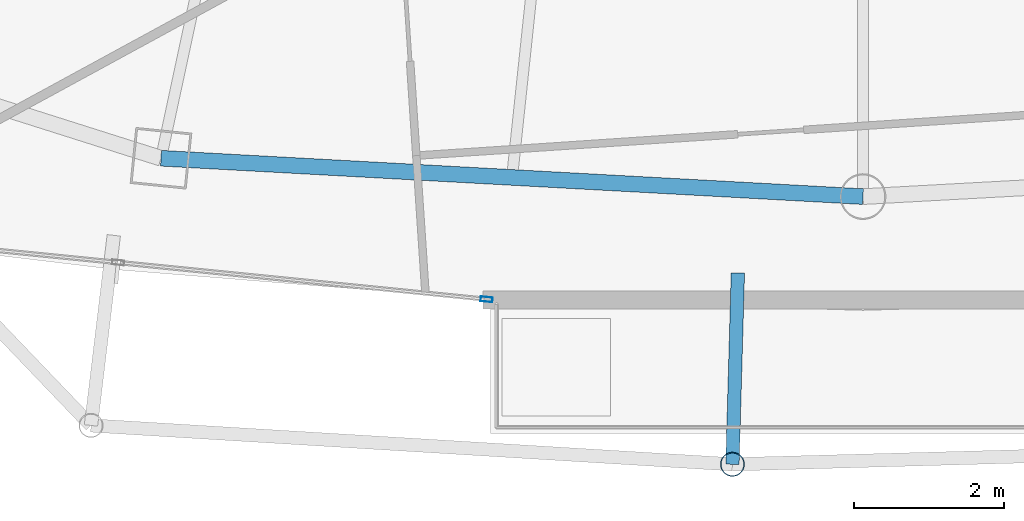
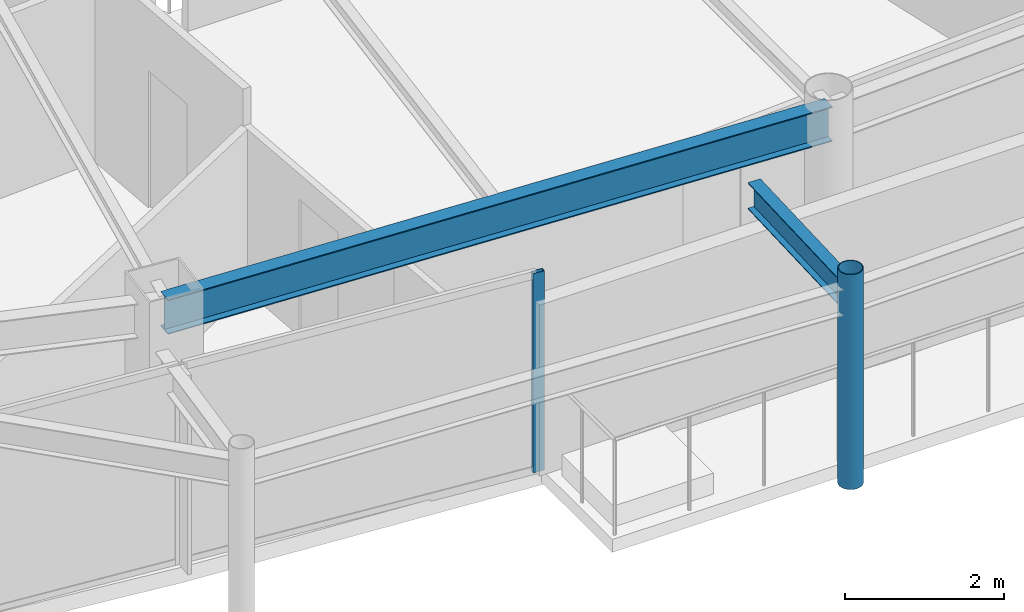
# One storey, part 7 of 29: 2 beams, 2 members, 1 element without a shape of its own.
"""IFC4 building model written with IfcOpenShell, lengths in metres."""

from ifc_helpers import new_model, si_unit, direction, frame, origin, origin_2d, place, context, subcontext, project, spatial, hollow_rectangle, hollow_circle, i_section, extrude, material, layer, layer_set, material_profile, profile_set, type_object, element, aggregate, save


model = new_model("IFC4")

# Units and contexts
model_context = context("Model", 3, precision=1e-05, world=origin(), true_north=direction((0.0, 1.0)))
body_context = subcontext(model_context, "Body", "Model", "MODEL_VIEW")
ifc_project = project(units=[si_unit("LENGTHUNIT", "METRE"), si_unit("AREAUNIT", "SQUARE_METRE"), si_unit("VOLUMEUNIT", "CUBIC_METRE"), si_unit("PLANEANGLEUNIT", "RADIAN"), si_unit("MASSUNIT", "GRAM", prefix="KILO")], contexts=[model_context])

# Site, building, storey
site_placement = place(None, origin())
site = spatial("IfcSite", under=ifc_project, at=site_placement, CompositionType="ELEMENT")
building_placement = place(site_placement, origin())
building = spatial("IfcBuilding", under=site, at=building_placement, Name="Orvanel Arch Residences", CompositionType="ELEMENT")
storey_placement = place(building_placement, frame((0.0, 0.0, 250.25)))
storey = spatial("IfcBuildingStorey", under=building, at=storey_placement, Name="L71", CompositionType="ELEMENT", Elevation=250.25)

# Curtain wall, member
ifc_material_1 = material(Name="Bronze-anodised aluminium AA6063-T6", Category="aluminium")
ifc_layer = layer(ifc_material_1, 0.175048828125)
ifc_layer_set = layer_set([ifc_layer], Name="Bronze-anodised aluminium AA6063-T6")
curtain_wall_type = type_object("IfcCurtainWallType", Name="CW4-HI-SYS", PredefinedType="NOTDEFINED", material=ifc_layer_set)
curtain_wall_placement = place(storey_placement, origin())
curtain_wall = element("IfcCurtainWall", 1, at=curtain_wall_placement, inside=storey, type_object=curtain_wall_type, Name="L71 CW4-HI-SYS Unitised Curtain Wall", PredefinedType="NOTDEFINED")
ifc_material_profile_1 = material_profile(ifc_material_1, hollow_rectangle(XDim=0.06494140625, YDim=0.159912109375, WallThickness=0.00390625, at=origin_2d()), Name="ALU160x65x4")
ifc_profile_set_1 = profile_set([ifc_material_profile_1], Name="Bronze-anodised aluminium AA6063-T6")
member_type_1 = type_object("IfcMemberType", Name="MUL-160x65", PredefinedType="MULLION", material=ifc_profile_set_1)
member_1_placement = place(storey_placement, frame((27.986572265625, 5.475341796875, 0.0), z_axis=(0.0, 0.0, 1.0), x_axis=(0.099583474002, 0.995029211484, 0.0)))
member_1 = element("IfcMember", 2, at=member_1_placement, type_object=member_type_1, Name="CW-S4 mullion 3", PredefinedType="MULLION", context=body_context, shape_type="SweptSolid", body=[
    extrude(hollow_rectangle(XDim=0.06494140625, YDim=0.159912109375, WallThickness=0.00390625, at=origin_2d()), origin(), (0.0, 0.0, 1.0), 3.06005859375),
])
aggregate(curtain_wall, [member_1])

# Beams
ifc_material_2 = material(Name="Structural steel AS/NZS 3679.1 Grade 300 (300 MPa)", Category="steel")
ifc_material_profile_2 = material_profile(ifc_material_2, i_section(OverallWidth=0.177978515625, OverallDepth=0.406005859375, WebThickness=0.0078125, FlangeThickness=0.0126953125, at=origin_2d()), Name="410UB59.7")
ifc_profile_set_2 = profile_set([ifc_material_profile_2], Name="Structural steel AS/NZS 3679.1 Grade 300 (300 MPa)")
beam_type_1 = type_object("IfcBeamType", Name="OB-410UB-EXT", PredefinedType="SPANDREL", material=ifc_profile_set_2)
beam_1_placement = place(storey_placement, frame((31.3330078125, 5.826904296875, 2.85693359375), z_axis=(-0.02824543107, -0.999601018219, 0.0), x_axis=(0.999601018219, -0.02824543107, 0.0)))
element("IfcBeam", 3, at=beam_1_placement, inside=storey, type_object=beam_type_1, Name="L71 Outer Frame Radial Tie Beam 06", PredefinedType="SPANDREL", context=body_context, shape_type="SweptSolid", body=[
    extrude(i_section(OverallWidth=0.177978515625, OverallDepth=0.406005859375, WebThickness=0.0078125, FlangeThickness=0.0126953125, at=origin_2d()), origin(), (0.0, 0.0, 1.0), 2.5498046875),
])
ifc_material_profile_3 = material_profile(ifc_material_2, i_section(OverallWidth=0.208984375, OverallDepth=0.532958984375, WebThickness=0.01025390625, FlangeThickness=0.015625, at=origin_2d()), Name="530UB92.4")
ifc_profile_set_3 = profile_set([ifc_material_profile_3], Name="Structural steel AS/NZS 3679.1 Grade 300 (300 MPa)")
beam_type_2 = type_object("IfcBeamType", Name="SP-530UB", PredefinedType="SPANDREL", material=ifc_profile_set_3)
beam_2_placement = place(storey_placement, frame((23.64892578125, 7.35498046875, 2.79296875), z_axis=(0.998510315598, -0.054563262768, 0.0), x_axis=(0.054563262768, 0.998510315598, 0.0)))
element("IfcBeam", 4, at=beam_2_placement, inside=storey, type_object=beam_type_2, Name="L71 Perimeter Spandrel Beam 03", PredefinedType="SPANDREL", context=body_context, shape_type="SweptSolid", body=[
    extrude(i_section(OverallWidth=0.208984375, OverallDepth=0.532958984375, WebThickness=0.01025390625, FlangeThickness=0.015625, at=origin_2d()), origin(), (0.0, 0.0, 1.0), 9.364990234375),
])

# Member
ifc_material_3 = material(Name="Structural steel AS/NZS 1163 C350L0 (Grade 350)", Category="steel")
ifc_material_profile_4 = material_profile(ifc_material_3, hollow_circle(Radius=0.162109375, WallThickness=0.0126953125, at=origin_2d()), Name="CHS324x12.7")
ifc_profile_set_4 = profile_set([ifc_material_profile_4], Name="Structural steel AS/NZS 1163 C350L0 (Grade 350)")
member_type_2 = type_object("IfcMemberType", Name="ST-324CHS-EXT", PredefinedType="STRUT", material=ifc_profile_set_4)
member_2_placement = place(storey_placement, frame((31.260986328125, 3.278076171875, 0.0), z_axis=(0.0, 0.0, 1.0), x_axis=(1.0, 0.0, 0.0)))
element("IfcMember", 5, at=member_2_placement, inside=storey, type_object=member_type_2, Name="L71 Outer Perimeter Frame Post 06", PredefinedType="STRUT", context=body_context, shape_type="SweptSolid", body=[
    extrude(hollow_circle(Radius=0.162109375, WallThickness=0.0126953125, at=origin_2d()), origin(), (0.0, 0.0, 1.0), 3.300048828125),
])

save(model, "model.ifc")
